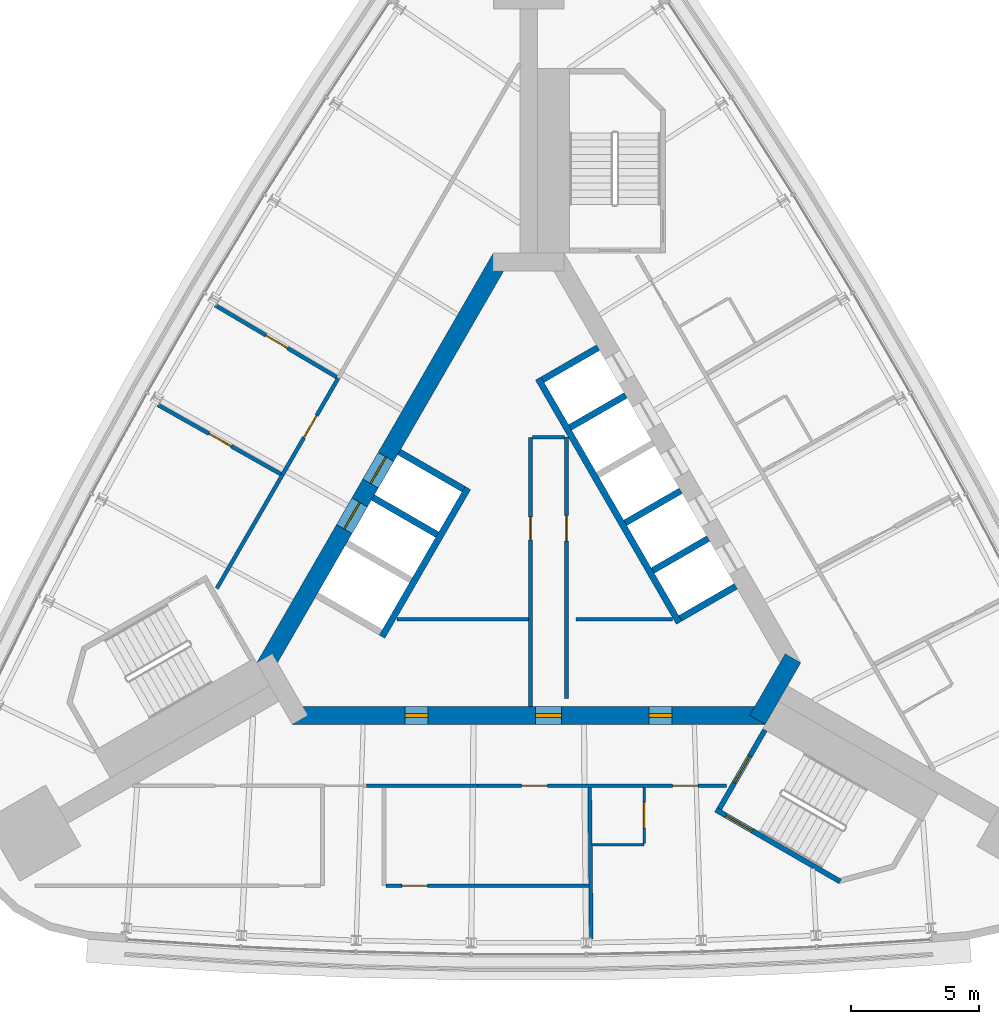
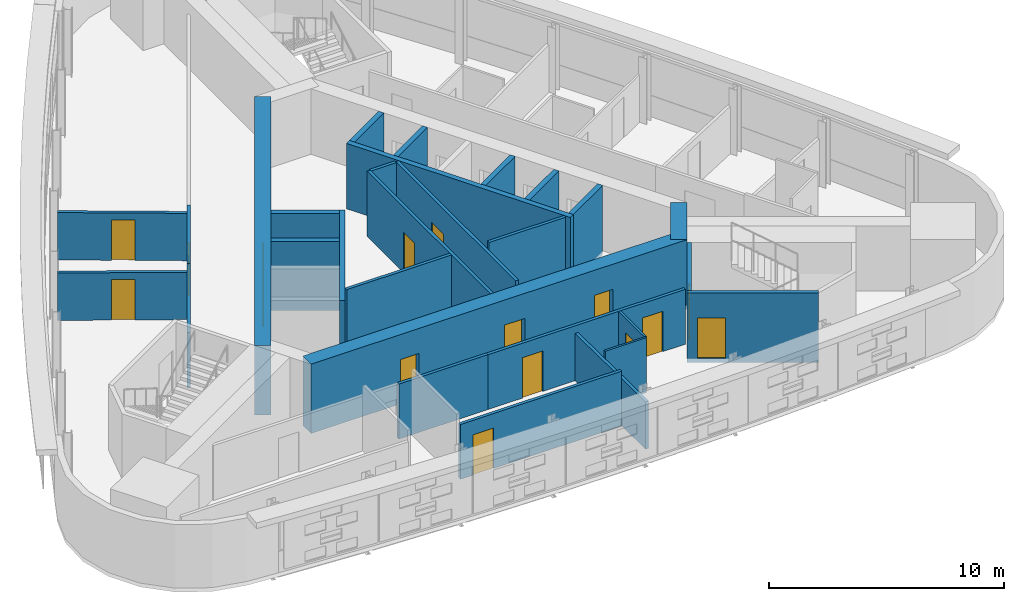
# One storey, part 8 of 12: 29 walls, 16 doors, 16 openings.
"""IFC4 building model written with IfcOpenShell, lengths in metres."""

from ifc_helpers import new_model, si_unit, direction, frame, frame_2d, origin, place, context, subcontext, project, spatial, rectangle, extrude, material, layer, layer_set, type_object, element, fill, save


model = new_model("IFC4")

# Units and contexts
model_context = context("Model", 3, precision=1e-05, world=origin(), true_north=direction((0.0, 1.0)))
body_context = subcontext(model_context, "Body", "Model", "MODEL_VIEW")
ifc_project = project(units=[si_unit("LENGTHUNIT", "METRE"), si_unit("AREAUNIT", "SQUARE_METRE"), si_unit("VOLUMEUNIT", "CUBIC_METRE"), si_unit("PLANEANGLEUNIT", "RADIAN"), si_unit("MASSUNIT", "GRAM", prefix="KILO")], contexts=[model_context])

# Site, building, storey
site_placement = place(None, origin())
site = spatial("IfcSite", under=ifc_project, at=site_placement, CompositionType="ELEMENT")
building_placement = place(site_placement, origin())
building = spatial("IfcBuilding", under=site, at=building_placement, Name="Noor Cloister Tower", CompositionType="ELEMENT")
storey_placement = place(building_placement, frame((0.0, 0.0, 188.699951171875)))
storey = spatial("IfcBuildingStorey", under=building, at=storey_placement, Name="L48", CompositionType="ELEMENT", Elevation=188.699951171875)

# Wall
ifc_material_1 = material(Name="Concrete C30/37", Category="concrete")
ifc_layer_1 = layer(ifc_material_1, 0.14990234375)
ifc_layer_set_1 = layer_set([ifc_layer_1], Name="Core partition 150 C30/37")
wall_type_1 = type_object("IfcWallType", Name="Core partition 150 C30/37", PredefinedType="PARTITIONING", material=ifc_layer_set_1)
wall_1_placement = place(storey_placement, frame((-5.142333984375, -2.828125, 0.0), z_axis=(0.0, 0.0, 1.0), x_axis=(1.0, 0.0, 0.0)))
element("IfcWall", 1, at=wall_1_placement, inside=storey, type_object=wall_type_1, Name="Core room partition L48 1", PredefinedType="PARTITIONING", context=body_context, shape_type="SweptSolid", body=[
    extrude(rectangle(XDim=5.138671875, YDim=0.14990234375, at=frame_2d((2.5693359375, 0.0))), origin(), (0.0, 0.0, 1.0), 3.400146484375),
])

# Wall, opening, door
wall_2_placement = place(storey_placement, frame((0.0712890625, 4.271728515625, 0.0), z_axis=(0.0, 0.0, 1.0), x_axis=(0.0, -1.0, 0.0)))
wall_2 = element("IfcWall", 2, at=wall_2_placement, inside=storey, type_object=wall_type_1, Name="Core room partition L48 2", PredefinedType="PARTITIONING", context=body_context, shape_type="SweptSolid", body=[
    extrude(rectangle(XDim=10.5, YDim=0.14990234375, at=frame_2d((5.25, 0.0))), origin(), (0.0, 0.0, 1.0), 3.400146484375),
])
opening_1_placement = place(wall_2_placement, frame((3.10107421875, 0.0, 0.0)))
opening_1 = element("IfcOpeningElement", 3, at=opening_1_placement, cuts=wall_2, Name="Opening L48-904", PredefinedType="OPENING", context=body_context, shape_type="SweptSolid", body=[
    extrude(rectangle(XDim=0.89990234375, YDim=2.10009765625, at=frame_2d((0.449951171875, 1.050048828125))), frame((0.0, 0.0849609375, 0.0), z_axis=(0.0, -1.0, 0.0), x_axis=(1.0, 0.0, 0.0)), (0.0, 0.0, 1.0), 0.169921875),
])
ifc_material_2 = material(Name="Steel", Category="steel")
door_type_1 = type_object("IfcDoorType", Name="Core door 900 x 2100 FD120", OperationType="SINGLE_SWING_LEFT", PredefinedType="DOOR", material=ifc_material_2)
door_1_placement = place(opening_1_placement, origin())
door_1 = element("IfcDoor", 4, at=door_1_placement, inside=storey, type_object=door_type_1, Name="Core door 4 L48", OperationType="SINGLE_SWING_RIGHT", OverallHeight=2.10009765625, OverallWidth=0.89990234375, PredefinedType="DOOR", context=body_context, shape_type="SweptSolid", body=[
    extrude(rectangle(XDim=0.89990234375, YDim=2.10009765625, at=frame_2d((0.449951171875, 1.050048828125))), frame((0.0, 0.02490234375, 0.0), z_axis=(0.0, -1.0, 0.0), x_axis=(1.0, 0.0, 0.0)), (0.0, 0.0, 1.0), 0.050048828125),
])
fill(opening_1, door_1)

# Wall
wall_3_placement = place(storey_placement, frame((0.146240234375, 4.271728515625, 0.0), z_axis=(0.0, 0.0, 1.0), x_axis=(1.0, 0.0, 0.0)))
element("IfcWall", 5, at=wall_3_placement, inside=storey, type_object=wall_type_1, Name="Core room partition L48 3", PredefinedType="PARTITIONING", context=body_context, shape_type="SweptSolid", body=[
    extrude(rectangle(XDim=1.25, YDim=0.14990234375, at=frame_2d((0.625, 0.0))), origin(), (0.0, 0.0, 1.0), 3.400146484375),
])

# Wall, opening, door
wall_4_placement = place(storey_placement, frame((1.47119140625, -5.92822265625, 0.0), z_axis=(0.0, 0.0, 1.0), x_axis=(0.0, 1.0, 0.0)))
wall_4 = element("IfcWall", 6, at=wall_4_placement, inside=storey, type_object=wall_type_1, Name="Core room partition L48 4", PredefinedType="PARTITIONING", context=body_context, shape_type="SweptSolid", body=[
    extrude(rectangle(XDim=10.206298828125, YDim=0.14990234375, at=frame_2d((5.10302734375, 0.0))), origin(), (0.0, 0.0, 1.0), 3.400146484375),
])
opening_2_placement = place(wall_4_placement, frame((6.14990234375, 0.0, 0.0)))
opening_2 = element("IfcOpeningElement", 7, at=opening_2_placement, cuts=wall_4, Name="Opening L48-905", PredefinedType="OPENING", context=body_context, shape_type="SweptSolid", body=[
    extrude(rectangle(XDim=1.0, YDim=2.10009765625, at=frame_2d((0.5, 1.050048828125))), frame((0.0, 0.0849609375, 0.0), z_axis=(0.0, -1.0, 0.0), x_axis=(1.0, 0.0, 0.0)), (0.0, 0.0, 1.0), 0.169921875),
])
ifc_material_3 = material(Name="Steel", Category="steel")
door_type_2 = type_object("IfcDoorType", Name="Core door 1000 x 2100 FD60", OperationType="SINGLE_SWING_LEFT", PredefinedType="DOOR", material=ifc_material_3)
door_2_placement = place(opening_2_placement, origin())
door_2 = element("IfcDoor", 8, at=door_2_placement, inside=storey, type_object=door_type_2, Name="Core door 5 L48", OperationType="SINGLE_SWING_LEFT", OverallHeight=2.10009765625, OverallWidth=1.0, PredefinedType="DOOR", context=body_context, shape_type="SweptSolid", body=[
    extrude(rectangle(XDim=1.0, YDim=2.10009765625, at=frame_2d((0.5, 1.050048828125))), frame((0.0, 0.02490234375, 0.0), z_axis=(0.0, -1.0, 0.0), x_axis=(1.0, 0.0, 0.0)), (0.0, 0.0, 1.0), 0.050048828125),
])
fill(opening_2, door_2)

# Wall
wall_5_placement = place(storey_placement, frame((1.84619140625, -2.828125, 0.0), z_axis=(0.0, 0.0, 1.0), x_axis=(1.0, 0.0, 0.0)))
element("IfcWall", 9, at=wall_5_placement, inside=storey, type_object=wall_type_1, Name="Core room partition L48 5", PredefinedType="PARTITIONING", context=body_context, shape_type="SweptSolid", body=[
    extrude(rectangle(XDim=3.7578125, YDim=0.14990234375, at=frame_2d((1.87890625, 0.0))), origin(), (0.0, 0.0, 1.0), 3.400146484375),
])

# Wall, openings, doors
ifc_material_4 = material(Name="Concrete C70/85", Category="concrete")
ifc_layer_2 = layer(ifc_material_4, 0.699951171875)
ifc_layer_set_2 = layer_set([ifc_layer_2], Name="Core wall 700 C70/85")
wall_type_2 = type_object("IfcWallType", Name="Core wall 700 C70/85", PredefinedType="SHEAR", material=ifc_layer_set_2)
wall_6_placement = place(storey_placement, frame((-9.228759765625, -6.578125, -0.199951171875), z_axis=(0.0, 0.0, 1.0), x_axis=(1.0, 0.0, 0.0)))
wall_6 = element("IfcWall", 10, at=wall_6_placement, inside=storey, type_object=wall_type_2, Name="Core wall L48 1", PredefinedType="SHEAR", context=body_context, shape_type="SweptSolid", body=[
    extrude(rectangle(XDim=18.45751953125, YDim=0.699951171875, at=frame_2d((9.228759765625, 0.0))), origin(), (0.0, 0.0, 1.0), 3.60009765625),
])
opening_3_placement = place(wall_6_placement, frame((9.5, 0.0, 0.199951171875)))
opening_3 = element("IfcOpeningElement", 11, at=opening_3_placement, cuts=wall_6, Name="Opening L48-901", PredefinedType="OPENING", context=body_context, shape_type="SweptSolid", body=[
    extrude(rectangle(XDim=1.0, YDim=2.10009765625, at=frame_2d((0.5, 1.050048828125))), frame((0.0, 0.35986328125, 0.0), z_axis=(0.0, -1.0, 0.0), x_axis=(1.0, 0.0, 0.0)), (0.0, 0.0, 1.0), 0.719970703125),
])
opening_4_placement = place(wall_6_placement, frame((4.402099609375, 0.0, 0.199951171875)))
opening_4 = element("IfcOpeningElement", 12, at=opening_4_placement, cuts=wall_6, Name="Opening L48-902", PredefinedType="OPENING", context=body_context, shape_type="SweptSolid", body=[
    extrude(rectangle(XDim=0.89990234375, YDim=2.10009765625, at=frame_2d((0.449951171875, 1.050048828125))), frame((0.0, 0.35986328125, 0.0), z_axis=(0.0, -1.0, 0.0), x_axis=(1.0, 0.0, 0.0)), (0.0, 0.0, 1.0), 0.719970703125),
])
opening_5_placement = place(wall_6_placement, frame((13.9267578125, 0.0, 0.199951171875)))
opening_5 = element("IfcOpeningElement", 13, at=opening_5_placement, cuts=wall_6, Name="Opening L48-903", PredefinedType="OPENING", context=body_context, shape_type="SweptSolid", body=[
    extrude(rectangle(XDim=0.89990234375, YDim=2.10009765625, at=frame_2d((0.449951171875, 1.050048828125))), frame((0.0, 0.35986328125, 0.0), z_axis=(0.0, -1.0, 0.0), x_axis=(1.0, 0.0, 0.0)), (0.0, 0.0, 1.0), 0.719970703125),
])
ifc_material_5 = material(Name="Steel", Category="steel")
door_type_3 = type_object("IfcDoorType", Name="Core door 1000 x 2100 FD120", OperationType="SINGLE_SWING_LEFT", PredefinedType="DOOR", material=ifc_material_5)
door_3_placement = place(opening_3_placement, origin())
door_3 = element("IfcDoor", 14, at=door_3_placement, inside=storey, type_object=door_type_3, Name="Core door 1 L48", OperationType="SINGLE_SWING_LEFT", OverallHeight=2.10009765625, OverallWidth=1.0, PredefinedType="DOOR", context=body_context, shape_type="SweptSolid", body=[
    extrude(rectangle(XDim=1.0, YDim=2.10009765625, at=frame_2d((0.5, 1.050048828125))), frame((0.0, 0.074951171875, 0.0), z_axis=(0.0, -1.0, 0.0), x_axis=(1.0, 0.0, 0.0)), (0.0, 0.0, 1.0), 0.14990234375),
])
fill(opening_3, door_3)
door_4_placement = place(opening_5_placement, origin())
door_4 = element("IfcDoor", 15, at=door_4_placement, inside=storey, type_object=door_type_1, Name="Core door 3 L48", OperationType="SINGLE_SWING_LEFT", OverallHeight=2.10009765625, OverallWidth=0.89990234375, PredefinedType="DOOR", context=body_context, shape_type="SweptSolid", body=[
    extrude(rectangle(XDim=0.89990234375, YDim=2.10009765625, at=frame_2d((0.449951171875, 1.050048828125))), frame((0.0, 0.074951171875, 0.0), z_axis=(0.0, -1.0, 0.0), x_axis=(1.0, 0.0, 0.0)), (0.0, 0.0, 1.0), 0.14990234375),
])
fill(opening_5, door_4)
ifc_material_6 = material(Name="Steel", Category="steel")
door_type_4 = type_object("IfcDoorType", Name="Core door 900 x 2100 FD60", OperationType="SINGLE_SWING_LEFT", PredefinedType="DOOR", material=ifc_material_6)
door_5_placement = place(opening_4_placement, origin())
door_5 = element("IfcDoor", 16, at=door_5_placement, inside=storey, type_object=door_type_4, Name="Core door 2 L48", OperationType="SINGLE_SWING_RIGHT", OverallHeight=2.10009765625, OverallWidth=0.89990234375, PredefinedType="DOOR", context=body_context, shape_type="SweptSolid", body=[
    extrude(rectangle(XDim=0.89990234375, YDim=2.10009765625, at=frame_2d((0.449951171875, 1.050048828125))), frame((0.0, 0.074951171875, 0.0), z_axis=(0.0, -1.0, 0.0), x_axis=(1.0, 0.0, 0.0)), (0.0, 0.0, 1.0), 0.14990234375),
])
fill(opening_4, door_5)

# Wall
wall_7_placement = place(storey_placement, frame((8.925537109375, -6.753173828125, -0.199951171875), z_axis=(0.0, 0.0, 1.0), x_axis=(0.500042739161, 0.866000726912, 0.0)))
element("IfcWall", 17, at=wall_7_placement, inside=storey, type_object=wall_type_2, Name="Core wall L48 2", PredefinedType="SHEAR", context=body_context, shape_type="SweptSolid", body=[
    extrude(rectangle(XDim=2.771240234375, YDim=0.699951171875, at=frame_2d((1.3857421875, 0.0))), origin(), (0.0, 0.0, 1.0), 3.60009765625),
])

# Wall, openings, doors
wall_8_placement = place(storey_placement, frame((-1.08251953125, 11.281494140625, -0.199951171875), z_axis=(0.0, 0.0, 1.0), x_axis=(-0.500001446645, -0.866024568562, 0.0)))
wall_8 = element("IfcWall", 18, at=wall_8_placement, inside=storey, type_object=wall_type_2, Name="Core wall L48 5", PredefinedType="SHEAR", context=body_context, shape_type="SweptSolid", body=[
    extrude(rectangle(XDim=18.45751953125, YDim=0.699951171875, at=frame_2d((9.228759765625, 0.0))), origin(), (0.0, 0.0, 1.0), 3.60009765625),
])
opening_6_placement = place(wall_8_placement, frame((8.978759765625, 0.0, 0.199951171875)))
opening_6 = element("IfcOpeningElement", 19, at=opening_6_placement, cuts=wall_8, Name="Opening L48-FF1", PredefinedType="OPENING", context=body_context, shape_type="SweptSolid", body=[
    extrude(rectangle(XDim=1.199951171875, YDim=2.10009765625, at=frame_2d((0.60009765625, 1.050048828125))), frame((0.0, 0.35986328125, 0.0), z_axis=(0.0, -1.0, 0.0), x_axis=(1.0, 0.0, 0.0)), (0.0, 0.0, 1.0), 0.719970703125),
])
opening_7_placement = place(wall_8_placement, frame((11.02880859375, 0.0, 0.199951171875)))
opening_7 = element("IfcOpeningElement", 20, at=opening_7_placement, cuts=wall_8, Name="Opening L48-FF2", PredefinedType="OPENING", context=body_context, shape_type="SweptSolid", body=[
    extrude(rectangle(XDim=1.199951171875, YDim=2.10009765625, at=frame_2d((0.60009765625, 1.050048828125))), frame((0.0, 0.35986328125, 0.0), z_axis=(0.0, -1.0, 0.0), x_axis=(1.0, 0.0, 0.0)), (0.0, 0.0, 1.0), 0.719970703125),
])
ifc_material_7 = material(Name="Stainless steel", Category="steel")
door_type_5 = type_object("IfcDoorType", Name="Lift landing door 1200 x 2100", OperationType="DOUBLE_DOOR_SLIDING", PredefinedType="DOOR", material=ifc_material_7)
door_6_placement = place(opening_6_placement, origin())
door_6 = element("IfcDoor", 21, at=door_6_placement, inside=storey, type_object=door_type_5, Name="Landing door FF1 L48", OperationType="DOUBLE_DOOR_SLIDING", OverallHeight=2.10009765625, OverallWidth=1.199951171875, PredefinedType="DOOR", context=body_context, shape_type="SweptSolid", body=[
    extrude(rectangle(XDim=1.199951171875, YDim=2.10009765625, at=frame_2d((0.60009765625, 1.050048828125))), frame((0.0, 0.02490234375, 0.0), z_axis=(0.0, -1.0, 0.0), x_axis=(1.0, 0.0, 0.0)), (0.0, 0.0, 1.0), 0.050048828125),
])
fill(opening_6, door_6)
door_7_placement = place(opening_7_placement, origin())
door_7 = element("IfcDoor", 22, at=door_7_placement, inside=storey, type_object=door_type_5, Name="Landing door FF2 L48", OperationType="DOUBLE_DOOR_SLIDING", OverallHeight=2.10009765625, OverallWidth=1.199951171875, PredefinedType="DOOR", context=body_context, shape_type="SweptSolid", body=[
    extrude(rectangle(XDim=1.199951171875, YDim=2.10009765625, at=frame_2d((0.60009765625, 1.050048828125))), frame((0.0, 0.02490234375, 0.0), z_axis=(0.0, -1.0, 0.0), x_axis=(1.0, 0.0, 0.0)), (0.0, 0.0, 1.0), 0.050048828125),
])
fill(opening_7, door_7)

# Wall
ifc_material_8 = material(Name="Fire-rated gypsum board partition on steel studs, 150 mm", Category="steel")
ifc_layer_3 = layer(ifc_material_8, 0.14990234375)
ifc_layer_set_3 = layer_set([ifc_layer_3], Name="Fire lobby wall 150")
wall_type_3 = type_object("IfcWallType", Name="Fire lobby wall 150", PredefinedType="PARTITIONING", material=ifc_layer_set_3)
wall_9_placement = place(storey_placement, frame((-9.6162109375, 2.800537109375, 0.0), z_axis=(0.0, 0.0, 1.0), x_axis=(-0.499995206172, -0.866028171485, 0.0)))
element("IfcWall", 23, at=wall_9_placement, inside=storey, type_object=wall_type_3, Name="Wall L48-W25", PredefinedType="PARTITIONING", context=body_context, shape_type="SweptSolid", body=[
    extrude(rectangle(XDim=5.11376953125, YDim=0.14990234375, at=frame_2d((2.556884765625, 0.0))), origin(), (0.0, 0.0, 1.0), 2.85205078125),
])

# Wall, opening, door
wall_10_placement = place(storey_placement, frame((-7.43359375, 6.581298828125, 0.0), z_axis=(0.0, 0.0, 1.0), x_axis=(-0.499964504253, -0.866045896294, 0.0)))
wall_10 = element("IfcWall", 24, at=wall_10_placement, inside=storey, type_object=wall_type_3, Name="Wall L48-W28", PredefinedType="PARTITIONING", context=body_context, shape_type="SweptSolid", body=[
    extrude(rectangle(XDim=4.365478515625, YDim=0.14990234375, at=frame_2d((2.1826171875, 0.0))), origin(), (0.0, 0.0, 1.0), 2.85205078125),
])
opening_8_placement = place(wall_10_placement, frame((1.682861328125, 0.0, 0.0)))
opening_8 = element("IfcOpeningElement", 25, at=opening_8_placement, cuts=wall_10, Name="Opening L48-016", PredefinedType="OPENING", context=body_context, shape_type="SweptSolid", body=[
    extrude(rectangle(XDim=1.0, YDim=2.10009765625, at=frame_2d((0.5, 1.050048828125))), frame((0.0, 0.0849609375, 0.0), z_axis=(0.0, -1.0, 0.0), x_axis=(1.0, 0.0, 0.0)), (0.0, 0.0, 1.0), 0.169921875),
])
ifc_material_9 = material(Name="Timber door leaf with steel frame", Category="steel")
door_type_6 = type_object("IfcDoorType", Name="Fire lobby door 1000", OperationType="NOTDEFINED", PredefinedType="DOOR", material=ifc_material_9)
door_8_placement = place(opening_8_placement, origin())
door_8 = element("IfcDoor", 26, at=door_8_placement, inside=storey, type_object=door_type_6, Name="Door L48-016", OperationType="SINGLE_SWING_RIGHT", OverallHeight=2.10009765625, OverallWidth=1.0, PredefinedType="DOOR", context=body_context, shape_type="SweptSolid", body=[
    extrude(rectangle(XDim=1.0, YDim=2.10009765625, at=frame_2d((0.5, 1.050048828125))), frame((0.0, 0.02490234375, 0.0), z_axis=(0.0, -1.0, 0.0), x_axis=(1.0, 0.0, 0.0)), (0.0, 0.0, 1.0), 0.050048828125),
])
fill(opening_8, door_8)

# Wall, openings, doors
ifc_material_10 = material(Name="Gypsum board partition on steel studs, 150 mm", Category="steel")
ifc_layer_4 = layer(ifc_material_10, 0.14990234375)
ifc_layer_set_4 = layer_set([ifc_layer_4], Name="Flat wall 150")
wall_type_4 = type_object("IfcWallType", Name="Flat wall 150", PredefinedType="PARTITIONING", material=ifc_layer_set_4)
wall_11_placement = place(storey_placement, frame((-1.978515625, -9.328125, 0.0), z_axis=(0.0, 0.0, 1.0), x_axis=(1.0, 0.0, 0.0)))
wall_11 = element("IfcWall", 27, at=wall_11_placement, inside=storey, type_object=wall_type_4, Name="Wall L48-W15", PredefinedType="PARTITIONING", context=body_context, shape_type="SweptSolid", body=[
    extrude(rectangle(XDim=9.7060546875, YDim=0.14990234375, at=frame_2d((4.85302734375, 0.0))), origin(), (0.0, 0.0, 1.0), 2.85205078125),
])
opening_9_placement = place(wall_11_placement, frame((1.703369140625, 0.0, 0.0)))
opening_9 = element("IfcOpeningElement", 28, at=opening_9_placement, cuts=wall_11, Name="Opening L48-013", PredefinedType="OPENING", context=body_context, shape_type="SweptSolid", body=[
    extrude(rectangle(XDim=1.0, YDim=2.10009765625, at=frame_2d((0.5, 1.050048828125))), frame((0.0, 0.0849609375, 0.0), z_axis=(0.0, -1.0, 0.0), x_axis=(1.0, 0.0, 0.0)), (0.0, 0.0, 1.0), 0.169921875),
])
opening_10_placement = place(wall_11_placement, frame((7.59375, 0.0, 0.0)))
opening_10 = element("IfcOpeningElement", 29, at=opening_10_placement, cuts=wall_11, Name="Opening L48-015", PredefinedType="OPENING", context=body_context, shape_type="SweptSolid", body=[
    extrude(rectangle(XDim=1.0, YDim=2.10009765625, at=frame_2d((0.5, 1.050048828125))), frame((0.0, 0.0849609375, 0.0), z_axis=(0.0, -1.0, 0.0), x_axis=(1.0, 0.0, 0.0)), (0.0, 0.0, 1.0), 0.169921875),
])
ifc_material_11 = material(Name="Timber door leaf with steel frame", Category="steel")
door_type_7 = type_object("IfcDoorType", Name="Flat entrance door 1000", OperationType="NOTDEFINED", PredefinedType="DOOR", material=ifc_material_11)
door_9_placement = place(opening_10_placement, origin())
door_9 = element("IfcDoor", 30, at=door_9_placement, inside=storey, type_object=door_type_7, Name="Door L48-015", OperationType="SINGLE_SWING_LEFT", OverallHeight=2.10009765625, OverallWidth=1.0, PredefinedType="DOOR", context=body_context, shape_type="SweptSolid", body=[
    extrude(rectangle(XDim=1.0, YDim=2.10009765625, at=frame_2d((0.5, 1.050048828125))), frame((0.0, 0.02490234375, 0.0), z_axis=(0.0, -1.0, 0.0), x_axis=(1.0, 0.0, 0.0)), (0.0, 0.0, 1.0), 0.050048828125),
])
fill(opening_10, door_9)
ifc_material_12 = material(Name="Timber door leaf with steel frame", Category="steel")
door_type_8 = type_object("IfcDoorType", Name="Interior door 1000 FD60", OperationType="NOTDEFINED", PredefinedType="DOOR", material=ifc_material_12)
door_10_placement = place(opening_9_placement, origin())
door_10 = element("IfcDoor", 31, at=door_10_placement, inside=storey, type_object=door_type_8, Name="Door L48-013", OperationType="SINGLE_SWING_LEFT", OverallHeight=2.10009765625, OverallWidth=1.0, PredefinedType="DOOR", context=body_context, shape_type="SweptSolid", body=[
    extrude(rectangle(XDim=1.0, YDim=2.10009765625, at=frame_2d((0.5, 1.050048828125))), frame((0.0, 0.02490234375, 0.0), z_axis=(0.0, -1.0, 0.0), x_axis=(1.0, 0.0, 0.0)), (0.0, 0.0, 1.0), 0.050048828125),
])
fill(opening_9, door_10)

# Walls
wall_12_placement = place(storey_placement, frame((-6.33740234375, -9.328125, 0.0), z_axis=(0.0, 0.0, 1.0), x_axis=(1.0, 0.0, 0.0)))
element("IfcWall", 32, at=wall_12_placement, inside=storey, type_object=wall_type_4, Name="Wall L48-W16", PredefinedType="PARTITIONING", context=body_context, shape_type="SweptSolid", body=[
    extrude(rectangle(XDim=4.35888671875, YDim=0.14990234375, at=frame_2d((2.179443359375, 0.0))), origin(), (0.0, 0.0, 1.0), 2.85205078125),
])
wall_13_placement = place(storey_placement, frame((2.4423828125, -15.302490234375, 0.0), z_axis=(0.0, 0.0, 1.0), x_axis=(-0.01067687349, 0.999943000562, 0.0)))
element("IfcWall", 33, at=wall_13_placement, inside=storey, type_object=wall_type_4, Name="Wall L48-W17", PredefinedType="PARTITIONING", context=body_context, shape_type="SweptSolid", body=[
    extrude(rectangle(XDim=5.8994140625, YDim=0.14990234375, at=frame_2d((2.94970703125, 0.0))), origin(), (0.0, 0.0, 1.0), 2.4609375),
])

# Wall, opening, door
wall_14_placement = place(storey_placement, frame((-5.56982421875, -13.228515625, 0.0), z_axis=(0.0, 0.0, 1.0), x_axis=(1.0, 0.0, 0.0)))
wall_14 = element("IfcWall", 34, at=wall_14_placement, inside=storey, type_object=wall_type_4, Name="Wall L48-W21", PredefinedType="PARTITIONING", context=body_context, shape_type="SweptSolid", body=[
    extrude(rectangle(XDim=7.9150390625, YDim=0.14990234375, at=frame_2d((3.95751953125, 0.0))), origin(), (0.0, 0.0, 1.0), 2.85205078125),
])
opening_11_placement = place(wall_14_placement, frame((0.625, 0.0, 0.0)))
opening_11 = element("IfcOpeningElement", 35, at=opening_11_placement, cuts=wall_14, Name="Opening L48-012", PredefinedType="OPENING", context=body_context, shape_type="SweptSolid", body=[
    extrude(rectangle(XDim=1.0, YDim=2.10009765625, at=frame_2d((0.5, 1.050048828125))), frame((0.0, 0.0849609375, 0.0), z_axis=(0.0, -1.0, 0.0), x_axis=(1.0, 0.0, 0.0)), (0.0, 0.0, 1.0), 0.169921875),
])
door_11_placement = place(opening_11_placement, origin())
door_11 = element("IfcDoor", 36, at=door_11_placement, inside=storey, type_object=door_type_8, Name="Door L48-012", OperationType="SINGLE_SWING_RIGHT", OverallHeight=2.10009765625, OverallWidth=1.0, PredefinedType="DOOR", context=body_context, shape_type="SweptSolid", body=[
    extrude(rectangle(XDim=1.0, YDim=2.10009765625, at=frame_2d((0.5, 1.050048828125))), frame((0.0, 0.02490234375, 0.0), z_axis=(0.0, -1.0, 0.0), x_axis=(1.0, 0.0, 0.0)), (0.0, 0.0, 1.0), 0.050048828125),
])
fill(opening_11, door_11)

wall_15_placement = place(storey_placement, frame((-12.23486328125, 9.422119140625, 0.0), z_axis=(0.0, 0.0, 1.0), x_axis=(0.860631434237, -0.509228371562, 0.0)))
wall_15 = element("IfcWall", 37, at=wall_15_placement, inside=storey, type_object=wall_type_4, Name="Wall L48-W26", PredefinedType="PARTITIONING", context=body_context, shape_type="SweptSolid", body=[
    extrude(rectangle(XDim=5.50390625, YDim=0.14990234375, at=frame_2d((2.751953125, 0.0))), origin(), (0.0, 0.0, 1.0), 2.4609375),
])
opening_12_placement = place(wall_15_placement, frame((2.28955078125, 0.0, 0.0)))
opening_12 = element("IfcOpeningElement", 38, at=opening_12_placement, cuts=wall_15, Name="Opening L48-017", PredefinedType="OPENING", context=body_context, shape_type="SweptSolid", body=[
    extrude(rectangle(XDim=1.0, YDim=2.10009765625, at=frame_2d((0.5, 1.050048828125))), frame((0.0, 0.0849609375, 0.0), z_axis=(0.0, -1.0, 0.0), x_axis=(1.0, 0.0, 0.0)), (0.0, 0.0, 1.0), 0.169921875),
])
door_12_placement = place(opening_12_placement, origin())
door_12 = element("IfcDoor", 39, at=door_12_placement, inside=storey, type_object=door_type_8, Name="Door L48-017", OperationType="SINGLE_SWING_LEFT", OverallHeight=2.10009765625, OverallWidth=1.0, PredefinedType="DOOR", context=body_context, shape_type="SweptSolid", body=[
    extrude(rectangle(XDim=1.0, YDim=2.10009765625, at=frame_2d((0.5, 1.050048828125))), frame((0.0, 0.02490234375, 0.0), z_axis=(0.0, -1.0, 0.0), x_axis=(1.0, 0.0, 0.0)), (0.0, 0.0, 1.0), 0.050048828125),
])
fill(opening_12, door_12)

wall_16_placement = place(storey_placement, frame((-14.4736328125, 5.5361328125, 0.0), z_axis=(0.0, 0.0, 1.0), x_axis=(0.871324088074, -0.490707992132, 0.0)))
wall_16 = element("IfcWall", 40, at=wall_16_placement, inside=storey, type_object=wall_type_4, Name="Wall L48-W27", PredefinedType="PARTITIONING", context=body_context, shape_type="SweptSolid", body=[
    extrude(rectangle(XDim=5.499755859375, YDim=0.14990234375, at=frame_2d((2.75, 0.0))), origin(), (0.0, 0.0, 1.0), 2.4609375),
])
opening_13_placement = place(wall_16_placement, frame((2.287353515625, 0.0, 0.0)))
opening_13 = element("IfcOpeningElement", 41, at=opening_13_placement, cuts=wall_16, Name="Opening L48-018", PredefinedType="OPENING", context=body_context, shape_type="SweptSolid", body=[
    extrude(rectangle(XDim=1.0, YDim=2.10009765625, at=frame_2d((0.5, 1.050048828125))), frame((0.0, 0.0849609375, 0.0), z_axis=(0.0, -1.0, 0.0), x_axis=(1.0, 0.0, 0.0)), (0.0, 0.0, 1.0), 0.169921875),
])
door_13_placement = place(opening_13_placement, origin())
door_13 = element("IfcDoor", 42, at=door_13_placement, inside=storey, type_object=door_type_8, Name="Door L48-018", OperationType="SINGLE_SWING_RIGHT", OverallHeight=2.10009765625, OverallWidth=1.0, PredefinedType="DOOR", context=body_context, shape_type="SweptSolid", body=[
    extrude(rectangle(XDim=1.0, YDim=2.10009765625, at=frame_2d((0.5, 1.050048828125))), frame((0.0, 0.02490234375, 0.0), z_axis=(0.0, -1.0, 0.0), x_axis=(1.0, 0.0, 0.0)), (0.0, 0.0, 1.0), 0.050048828125),
])
fill(opening_13, door_13)

# Wall
ifc_material_13 = material(Name="Gypsum board partition on steel studs, 100 mm", Category="steel")
ifc_layer_5 = layer(ifc_material_13, 0.10009765625)
ifc_layer_set_5 = layer_set([ifc_layer_5], Name="Partition 100")
wall_type_5 = type_object("IfcWallType", Name="Partition 100", PredefinedType="PARTITIONING", material=ifc_layer_set_5)
wall_17_placement = place(storey_placement, frame((2.47802734375, -11.628173828125, 0.0), z_axis=(0.0, 0.0, 1.0), x_axis=(1.0, 0.0, 0.0)))
element("IfcWall", 43, at=wall_17_placement, inside=storey, type_object=wall_type_5, Name="Wall L48-W22", PredefinedType="PARTITIONING", context=body_context, shape_type="SweptSolid", body=[
    extrude(rectangle(XDim=2.025146484375, YDim=0.10009765625, at=frame_2d((1.0126953125, 0.0))), origin(), (0.0, 0.0, 1.0), 2.85205078125),
])

# Wall, opening, door
wall_18_placement = place(storey_placement, frame((4.503173828125, -11.578125, 0.0), z_axis=(0.0, 0.0, 1.0), x_axis=(0.0, 1.0, 0.0)))
wall_18 = element("IfcWall", 44, at=wall_18_placement, inside=storey, type_object=wall_type_5, Name="Wall L48-W23", PredefinedType="PARTITIONING", context=body_context, shape_type="SweptSolid", body=[
    extrude(rectangle(XDim=2.1748046875, YDim=0.10009765625, at=frame_2d((1.08740234375, 0.0))), origin(), (0.0, 0.0, 1.0), 2.85205078125),
])
opening_14_placement = place(wall_18_placement, frame((0.60009765625, 0.0, 0.0)))
opening_14 = element("IfcOpeningElement", 45, at=opening_14_placement, cuts=wall_18, Name="Opening L48-014", PredefinedType="OPENING", context=body_context, shape_type="SweptSolid", body=[
    extrude(rectangle(XDim=1.0, YDim=2.10009765625, at=frame_2d((0.5, 1.050048828125))), frame((0.0, 0.06005859375, 0.0), z_axis=(0.0, -1.0, 0.0), x_axis=(1.0, 0.0, 0.0)), (0.0, 0.0, 1.0), 0.1201171875),
])
ifc_material_14 = material(Name="Timber door leaf with steel frame", Category="steel")
door_type_9 = type_object("IfcDoorType", Name="Interior door 1000", OperationType="NOTDEFINED", PredefinedType="DOOR", material=ifc_material_14)
door_14_placement = place(opening_14_placement, origin())
door_14 = element("IfcDoor", 46, at=door_14_placement, inside=storey, type_object=door_type_9, Name="Door L48-014", OperationType="SINGLE_SWING_RIGHT", OverallHeight=2.10009765625, OverallWidth=1.0, PredefinedType="DOOR", context=body_context, shape_type="SweptSolid", body=[
    extrude(rectangle(XDim=1.0, YDim=2.10009765625, at=frame_2d((0.5, 1.050048828125))), frame((0.0, 0.02490234375, 0.0), z_axis=(0.0, -1.0, 0.0), x_axis=(1.0, 0.0, 0.0)), (0.0, 0.0, 1.0), 0.050048828125),
])
fill(opening_14, door_14)

# Walls
ifc_material_15 = material(Name="Concrete C70/85", Category="concrete")
ifc_layer_6 = layer(ifc_material_15, 0.25)
ifc_layer_set_6 = layer_set([ifc_layer_6], Name="Shaft wall 250 C70/85")
wall_type_6 = type_object("IfcWallType", Name="Shaft wall 250 C70/85", PredefinedType="PARTITIONING", material=ifc_layer_set_6)
for number, where, z_axis, x_axis, name in (
    (47, (8.081298828125, -1.540771484375, -0.199951171875), (0.0, 0.0, 1.0), (-0.866022959057, -0.500004234368, 0.0), "Lift shaft wall L48 NE 1"),
    (48, (7.00634765625, 0.3212890625, -0.199951171875), (0.0, 0.0, 1.0), (-0.866022959057, -0.500004234368, 0.0), "Lift shaft wall L48 NE 2"),
):
    element("IfcWall", number, at=place(storey_placement, frame(where, z_axis=z_axis, x_axis=x_axis)), inside=storey, type_object=wall_type_6, Name=name, PredefinedType="PARTITIONING", context=body_context, shape_type="SweptSolid", body=[
        extrude(rectangle(XDim=2.5, YDim=0.25, at=frame_2d((1.25, 0.0))), origin(), (0.0, 0.0, 1.0), 3.60009765625),
    ])
wall_19_placement = place(storey_placement, frame((5.931396484375, 2.18310546875, -0.199951171875), z_axis=(0.0, 0.0, 1.0), x_axis=(-0.866047370643, -0.499961950354, 0.0)))
element("IfcWall", 49, at=wall_19_placement, inside=storey, type_object=wall_type_6, Name="Lift shaft wall L48 NE 3", PredefinedType="PARTITIONING", context=body_context, shape_type="SweptSolid", body=[
    extrude(rectangle(XDim=2.500244140625, YDim=0.25, at=frame_2d((1.25, 0.0))), origin(), (0.0, 0.0, 1.0), 3.60009765625),
])
for number, where, z_axis, x_axis, name in (
    (50, (3.78125, 5.906982421875, -0.199951171875), (0.0, 0.0, 1.0), (-0.866022959057, -0.500004234368, 0.0), "Lift shaft wall L48 NE 5"),
    (51, (2.706298828125, 7.76904296875, -0.199951171875), (0.0, 0.0, 1.0), (-0.866022959057, -0.500004234368, 0.0), "Lift shaft wall L48 NE 6"),
):
    element("IfcWall", number, at=place(storey_placement, frame(where, z_axis=z_axis, x_axis=x_axis)), inside=storey, type_object=wall_type_6, Name=name, PredefinedType="PARTITIONING", context=body_context, shape_type="SweptSolid", body=[
        extrude(rectangle(XDim=2.5, YDim=0.25, at=frame_2d((1.25, 0.0))), origin(), (0.0, 0.0, 1.0), 3.60009765625),
    ])
wall_20_placement = place(storey_placement, frame((5.870361328125, -2.96142578125, 0.0), z_axis=(0.0, 0.0, 1.0), x_axis=(-0.50000615651, 0.866021849293, 0.0)))
element("IfcWall", 52, at=wall_20_placement, inside=storey, type_object=wall_type_6, Name="Lift shaft back wall L48 NE", PredefinedType="PARTITIONING", context=body_context, shape_type="SweptSolid", body=[
    extrude(rectangle(XDim=10.999755859375, YDim=0.25, at=frame_2d((5.5, 0.0))), origin(), (0.0, 0.0, 1.0), 3.400146484375),
])
for number, where, z_axis, x_axis, name in (
    (53, (-5.056396484375, 3.69873046875, -0.199951171875), (0.0, 0.0, 1.0), (0.866032775405, -0.499987231761, 0.0), "Lift shaft wall L48 NW 3"),
    (54, (-6.081298828125, 1.92333984375, -0.199951171875), (0.0, 0.0, 1.0), (0.866032775405, -0.499987231761, 0.0), "Lift shaft wall L48 NW 4"),
):
    element("IfcWall", number, at=place(storey_placement, frame(where, z_axis=z_axis, x_axis=x_axis)), inside=storey, type_object=wall_type_6, Name=name, PredefinedType="PARTITIONING", context=body_context, shape_type="SweptSolid", body=[
        extrude(rectangle(XDim=2.89990234375, YDim=0.25, at=frame_2d((1.449951171875, 0.0))), origin(), (0.0, 0.0, 1.0), 3.60009765625),
    ])
wall_21_placement = place(storey_placement, frame((-2.3740234375, 2.29443359375, 0.0), z_axis=(0.0, 0.0, 1.0), x_axis=(-0.500003174267, -0.866023571113, 0.0)))
element("IfcWall", 55, at=wall_21_placement, inside=storey, type_object=wall_type_6, Name="Lift shaft back wall L48 NW", PredefinedType="PARTITIONING", context=body_context, shape_type="SweptSolid", body=[
    extrude(rectangle(XDim=6.7001953125, YDim=0.25, at=frame_2d((3.35009765625, 0.0))), origin(), (0.0, 0.0, 1.0), 3.400146484375),
])

# Wall, opening, door
ifc_material_16 = material(Name="Concrete C70/85", Category="concrete")
ifc_layer_7 = layer(ifc_material_16, 0.199951171875)
ifc_layer_set_7 = layer_set([ifc_layer_7], Name="Stair enclosure wall 200 C70/85")
wall_type_7 = type_object("IfcWallType", Name="Stair enclosure wall 200 C70/85", PredefinedType="SHEAR", material=ifc_layer_set_7)
wall_22_placement = place(storey_placement, frame((7.440185546875, -10.225830078125, -0.199951171875), z_axis=(0.0, 0.0, 1.0), x_axis=(0.500022077904, 0.866012656725, 0.0)))
wall_22 = element("IfcWall", 56, at=wall_22_placement, inside=storey, type_object=wall_type_7, Name="Stair enclosure wall ST3 L48 near end", PredefinedType="SHEAR", context=body_context, shape_type="SweptSolid", body=[
    extrude(rectangle(XDim=3.550048828125, YDim=0.199951171875, at=frame_2d((1.77490234375, 0.0))), origin(), (0.0, 0.0, 1.0), 3.60009765625),
])
opening_15_placement = place(wall_22_placement, frame((1.175048828125, 0.0, 0.199951171875)))
opening_15 = element("IfcOpeningElement", 57, at=opening_15_placement, cuts=wall_22, Name="Opening L48-ST3L", PredefinedType="OPENING", context=body_context, shape_type="SweptSolid", body=[
    extrude(rectangle(XDim=1.199951171875, YDim=2.10009765625, at=frame_2d((0.60009765625, 1.050048828125))), frame((0.0, 0.10986328125, 0.0), z_axis=(0.0, -1.0, 0.0), x_axis=(1.0, 0.0, 0.0)), (0.0, 0.0, 1.0), 0.219970703125),
])
ifc_material_17 = material(Name="Steel", Category="steel")
door_type_10 = type_object("IfcDoorType", Name="Stair door 1200 x 2100 FD120", OperationType="SINGLE_SWING_LEFT", PredefinedType="DOOR", material=ifc_material_17)
door_15_placement = place(opening_15_placement, origin())
door_15 = element("IfcDoor", 58, at=door_15_placement, inside=storey, type_object=door_type_10, Name="Stair door ST3 L48", OperationType="SINGLE_SWING_RIGHT", OverallHeight=2.10009765625, OverallWidth=1.199951171875, PredefinedType="DOOR", context=body_context, shape_type="SweptSolid", body=[
    extrude(rectangle(XDim=1.199951171875, YDim=2.10009765625, at=frame_2d((0.60009765625, 1.050048828125))), frame((0.0, 0.02490234375, 0.0), z_axis=(0.0, -1.0, 0.0), x_axis=(1.0, 0.0, 0.0)), (0.0, 0.0, 1.0), 0.050048828125),
])
fill(opening_15, door_15)

wall_23_placement = place(storey_placement, frame((7.3037109375, -10.262451171875, -0.199951171875), z_axis=(0.0, 0.0, 1.0), x_axis=(0.866026594901, -0.49999793692, 0.0)))
wall_23 = element("IfcWall", 59, at=wall_23_placement, inside=storey, type_object=wall_type_7, Name="Stair enclosure wall ST3 L48 outer side", PredefinedType="SHEAR", context=body_context, shape_type="SweptSolid", body=[
    extrude(rectangle(XDim=5.60009765625, YDim=0.199951171875, at=frame_2d((2.800048828125, 0.0))), origin(), (0.0, 0.0, 1.0), 3.60009765625),
])
opening_16_placement = place(wall_23_placement, frame((0.449951171875, 0.0, 0.199951171875)))
opening_16 = element("IfcOpeningElement", 60, at=opening_16_placement, cuts=wall_23, Name="Opening L48-ST3C", PredefinedType="OPENING", context=body_context, shape_type="SweptSolid", body=[
    extrude(rectangle(XDim=1.199951171875, YDim=2.10009765625, at=frame_2d((0.60009765625, 1.050048828125))), frame((0.0, 0.10986328125, 0.0), z_axis=(0.0, -1.0, 0.0), x_axis=(1.0, 0.0, 0.0)), (0.0, 0.0, 1.0), 0.219970703125),
])
door_16_placement = place(opening_16_placement, origin())
door_16 = element("IfcDoor", 61, at=door_16_placement, inside=storey, type_object=door_type_10, Name="Stair door ST3 L48", OperationType="SINGLE_SWING_LEFT", OverallHeight=2.10009765625, OverallWidth=1.199951171875, PredefinedType="DOOR", context=body_context, shape_type="SweptSolid", body=[
    extrude(rectangle(XDim=1.199951171875, YDim=2.10009765625, at=frame_2d((0.60009765625, 1.050048828125))), frame((0.0, 0.02490234375, 0.0), z_axis=(0.0, -1.0, 0.0), x_axis=(1.0, 0.0, 0.0)), (0.0, 0.0, 1.0), 0.050048828125),
])
fill(opening_16, door_16)

save(model, "model.ifc")
